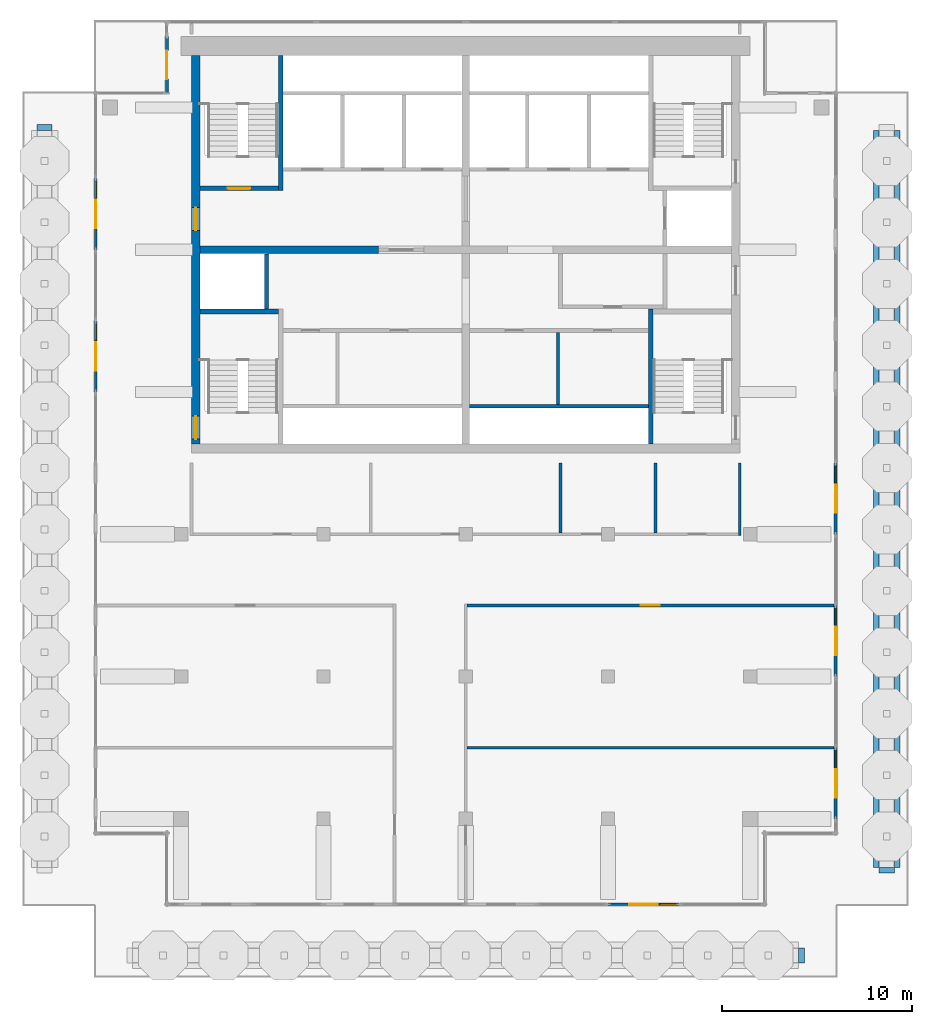
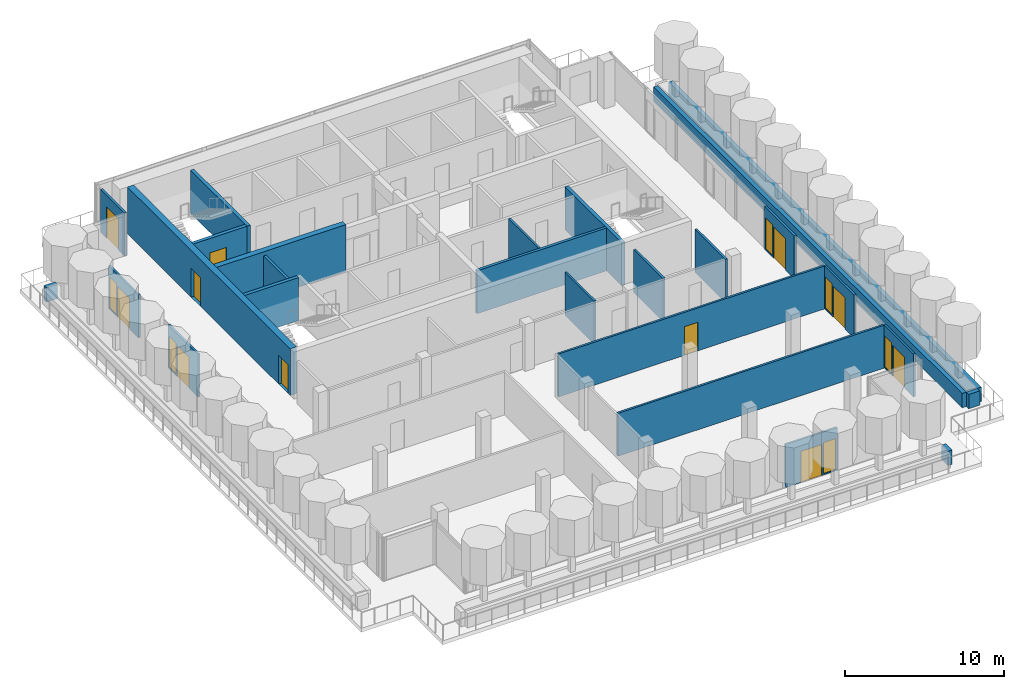
# One storey, part 9 of 15: 26 walls, 11 doors, 6 windows, 17 openings.
"""IFC4 building model written with IfcOpenShell, lengths in metres."""

from ifc_helpers import new_model, si_unit, direction, frame, frame_2d, origin, place, context, subcontext, project, spatial, rectangle, extrude, material, layer, layer_set, type_object, element, fill, save


model = new_model("IFC4")

# Units and contexts
model_context = context("Model", 3, precision=1e-05, world=origin(), true_north=direction((0.0, 1.0)))
body_context = subcontext(model_context, "Body", "Model", "MODEL_VIEW")
ifc_project = project(units=[si_unit("LENGTHUNIT", "METRE"), si_unit("AREAUNIT", "SQUARE_METRE"), si_unit("VOLUMEUNIT", "CUBIC_METRE"), si_unit("PLANEANGLEUNIT", "RADIAN"), si_unit("MASSUNIT", "GRAM", prefix="KILO")], contexts=[model_context])

# Site, building, storey
site_placement = place(None, origin())
site = spatial("IfcSite", under=ifc_project, at=site_placement, CompositionType="ELEMENT")
building_placement = place(site_placement, origin())
building = spatial("IfcBuilding", under=site, at=building_placement, Name="Pilkhan Gate Tower", CompositionType="ELEMENT")
storey_placement = place(building_placement, frame((0.0, 0.0, 265.699951171875)))
storey = spatial("IfcBuildingStorey", under=building, at=storey_placement, Name="L69", CompositionType="ELEMENT", Elevation=265.699951171875)

# Wall, openings, doors
ifc_material_1 = material(Name="Concrete C50/60", Category="concrete")
ifc_layer_1 = layer(ifc_material_1, 0.449951171875)
ifc_layer_set_1 = layer_set([ifc_layer_1], Name="Core wall CW450 C50/60")
wall_type_1 = type_object("IfcWallType", Name="Core wall CW450 C50/60", PredefinedType="SHEAR", material=ifc_layer_set_1)
wall_1_placement = place(storey_placement, frame((60.77490234375, 92.75, 0.0), z_axis=(0.0, 0.0, 1.0), x_axis=(0.0, -1.0, 0.0)))
wall_1 = element("IfcWall", 1, at=wall_1_placement, inside=storey, type_object=wall_type_1, Name="Core wall W L69", PredefinedType="SHEAR", context=body_context, shape_type="SweptSolid", body=[
    extrude(rectangle(XDim=20.5, YDim=0.449951171875, at=frame_2d((10.25, 0.0))), origin(), (0.0, 0.0, 1.0), 3.60009765625),
])
opening_1_placement = place(wall_1_placement, frame((19.02490234375, 0.0, 0.0)))
opening_1 = element("IfcOpeningElement", 2, at=opening_1_placement, cuts=wall_1, Name="Opening L69-04", PredefinedType="OPENING", context=body_context, shape_type="SweptSolid", body=[
    extrude(rectangle(XDim=1.199951171875, YDim=2.199951171875, at=frame_2d((0.60009765625, 1.10009765625))), frame((0.0, 0.23486328125, 0.0), z_axis=(0.0, -1.0, 0.0), x_axis=(1.0, 0.0, 0.0)), (0.0, 0.0, 1.0), 0.469970703125),
])
opening_2_placement = place(wall_1_placement, frame((8.02490234375, 0.0, 0.0)))
opening_2 = element("IfcOpeningElement", 3, at=opening_2_placement, cuts=wall_1, Name="Opening L69-08", PredefinedType="OPENING", context=body_context, shape_type="SweptSolid", body=[
    extrude(rectangle(XDim=1.199951171875, YDim=2.199951171875, at=frame_2d((0.60009765625, 1.10009765625))), frame((0.0, 0.23486328125, 0.0), z_axis=(0.0, -1.0, 0.0), x_axis=(1.0, 0.0, 0.0)), (0.0, 0.0, 1.0), 0.469970703125),
])
ifc_material_2 = material(Name="Steel door, 120 minute fire resisting, self-closing", Category="steel")
door_type_1 = type_object("IfcDoorType", Name="Firefighting lobby door D10 1200x2200", OperationType="SINGLE_SWING_LEFT", PredefinedType="DOOR", material=ifc_material_2)
door_1_placement = place(opening_2_placement, origin())
door_1 = element("IfcDoor", 4, at=door_1_placement, inside=storey, type_object=door_type_1, Name="Core door", OperationType="SINGLE_SWING_LEFT", OverallHeight=2.199951171875, OverallWidth=1.199951171875, PredefinedType="DOOR", context=body_context, shape_type="SweptSolid", body=[
    extrude(rectangle(XDim=1.199951171875, YDim=2.199951171875, at=frame_2d((0.60009765625, 1.10009765625))), frame((0.0, 0.02490234375, 0.0), z_axis=(0.0, -1.0, 0.0), x_axis=(1.0, 0.0, 0.0)), (0.0, 0.0, 1.0), 0.050048828125),
])
fill(opening_2, door_1)
ifc_material_3 = material(Name="Steel door, 120 minute fire resisting, panic bar", Category="steel")
door_type_2 = type_object("IfcDoorType", Name="Stair door D11 1200x2200", OperationType="SINGLE_SWING_LEFT", PredefinedType="DOOR", material=ifc_material_3)
door_2_placement = place(opening_1_placement, origin())
door_2 = element("IfcDoor", 5, at=door_2_placement, inside=storey, type_object=door_type_2, Name="Stair ST2 door", OperationType="SINGLE_SWING_LEFT", OverallHeight=2.199951171875, OverallWidth=1.199951171875, PredefinedType="DOOR", context=body_context, shape_type="SweptSolid", body=[
    extrude(rectangle(XDim=1.199951171875, YDim=2.199951171875, at=frame_2d((0.60009765625, 1.10009765625))), frame((0.0, 0.02490234375, 0.0), z_axis=(0.0, -1.0, 0.0), x_axis=(1.0, 0.0, 0.0)), (0.0, 0.0, 1.0), 0.050048828125),
])
fill(opening_1, door_2)

# Wall, openings, door, window
ifc_material_4 = material(Name="Pale anodised aluminium, clear laminated glazing", Category="aluminium")
ifc_layer_2 = layer(ifc_material_4, 0.14990234375)
ifc_layer_set_2 = layer_set([ifc_layer_2], Name="Facade infill wall IW150")
wall_type_2 = type_object("IfcWallType", Name="Facade infill wall IW150", PredefinedType="SOLIDWALL", material=ifc_layer_set_2)
wall_2_placement = place(storey_placement, frame((94.5, 56.25, 0.0), z_axis=(0.0, 0.0, 1.0), x_axis=(0.0, -1.0, 0.0)))
wall_2 = element("IfcWall", 6, at=wall_2_placement, inside=storey, type_object=wall_type_2, Name="Infill wall L69 E", PredefinedType="SOLIDWALL", context=body_context, shape_type="SweptSolid", body=[
    extrude(rectangle(XDim=3.75, YDim=0.14990234375, at=frame_2d((1.875, 0.0))), origin(), (0.0, 0.0, 1.0), 3.300048828125),
])
opening_3_placement = place(wall_2_placement, frame((0.112548828125, 0.0, 0.10009765625)))
opening_3 = element("IfcOpeningElement", 7, at=opening_3_placement, cuts=wall_2, Name="Opening W1", PredefinedType="OPENING", context=body_context, shape_type="SweptSolid", body=[
    extrude(rectangle(XDim=0.89990234375, YDim=2.39990234375, at=frame_2d((0.449951171875, 1.199951171875))), frame((0.0, 0.0849609375, 0.0), z_axis=(0.0, -1.0, 0.0), x_axis=(1.0, 0.0, 0.0)), (0.0, 0.0, 1.0), 0.169921875),
])
opening_4_placement = place(wall_2_placement, frame((1.125, 0.0, 0.0)))
opening_4 = element("IfcOpeningElement", 8, at=opening_4_placement, cuts=wall_2, Name="Opening D5", PredefinedType="OPENING", context=body_context, shape_type="SweptSolid", body=[
    extrude(rectangle(XDim=1.5, YDim=2.39990234375, at=frame_2d((0.75, 1.199951171875))), frame((0.0, 0.0849609375, 0.0), z_axis=(0.0, -1.0, 0.0), x_axis=(1.0, 0.0, 0.0)), (0.0, 0.0, 1.0), 0.169921875),
])
ifc_material_5 = material(Name="Pale anodised aluminium, clear glazing", Category="aluminium")
door_type_3 = type_object("IfcDoorType", Name="Terrace door D5 1500x2400", OperationType="DOUBLE_DOOR_SINGLE_SWING", PredefinedType="DOOR", material=ifc_material_5)
door_3_placement = place(opening_4_placement, origin())
door_3 = element("IfcDoor", 9, at=door_3_placement, inside=storey, type_object=door_type_3, Name="Terrace door L69", OperationType="DOUBLE_DOOR_SINGLE_SWING", OverallHeight=2.39990234375, OverallWidth=1.5, PredefinedType="DOOR", context=body_context, shape_type="SweptSolid", body=[
    extrude(rectangle(XDim=1.5, YDim=2.39990234375, at=frame_2d((0.75, 1.199951171875))), frame((0.0, 0.02490234375, 0.0), z_axis=(0.0, -1.0, 0.0), x_axis=(1.0, 0.0, 0.0)), (0.0, 0.0, 1.0), 0.050048828125),
])
fill(opening_4, door_3)
ifc_material_6 = material(Name="Pale anodised aluminium, clear double glazing", Category="aluminium")
window_type = type_object("IfcWindowType", Name="Window W1 900x2400", PartitioningType="SINGLE_PANEL", PredefinedType="WINDOW", material=ifc_material_6)
window_1_placement = place(opening_3_placement, origin())
window_1 = element("IfcWindow", 10, at=window_1_placement, inside=storey, type_object=window_type, Name="Window L69", OverallHeight=2.39990234375, OverallWidth=0.89990234375, PartitioningType="SINGLE_PANEL", PredefinedType="WINDOW", context=body_context, shape_type="SweptSolid", body=[
    extrude(rectangle(XDim=0.89990234375, YDim=2.39990234375, at=frame_2d((0.449951171875, 1.199951171875))), frame((0.0, 0.030029296875, 0.0), z_axis=(0.0, -1.0, 0.0), x_axis=(1.0, 0.0, 0.0)), (0.0, 0.0, 1.0), 0.06005859375),
])
fill(opening_3, window_1)

wall_3_placement = place(storey_placement, frame((94.5, 63.75, 0.0), z_axis=(0.0, 0.0, 1.0), x_axis=(0.0, -1.0, 0.0)))
wall_3 = element("IfcWall", 11, at=wall_3_placement, inside=storey, type_object=wall_type_2, Name="Infill wall L69 E", PredefinedType="SOLIDWALL", context=body_context, shape_type="SweptSolid", body=[
    extrude(rectangle(XDim=3.75, YDim=0.14990234375, at=frame_2d((1.875, 0.0))), origin(), (0.0, 0.0, 1.0), 3.300048828125),
])
opening_5_placement = place(wall_3_placement, frame((0.112548828125, 0.0, 0.10009765625)))
opening_5 = element("IfcOpeningElement", 12, at=opening_5_placement, cuts=wall_3, Name="Opening W1", PredefinedType="OPENING", context=body_context, shape_type="SweptSolid", body=[
    extrude(rectangle(XDim=0.89990234375, YDim=2.39990234375, at=frame_2d((0.449951171875, 1.199951171875))), frame((0.0, 0.0849609375, 0.0), z_axis=(0.0, -1.0, 0.0), x_axis=(1.0, 0.0, 0.0)), (0.0, 0.0, 1.0), 0.169921875),
])
opening_6_placement = place(wall_3_placement, frame((1.125, 0.0, 0.0)))
opening_6 = element("IfcOpeningElement", 13, at=opening_6_placement, cuts=wall_3, Name="Opening D5", PredefinedType="OPENING", context=body_context, shape_type="SweptSolid", body=[
    extrude(rectangle(XDim=1.5, YDim=2.39990234375, at=frame_2d((0.75, 1.199951171875))), frame((0.0, 0.0849609375, 0.0), z_axis=(0.0, -1.0, 0.0), x_axis=(1.0, 0.0, 0.0)), (0.0, 0.0, 1.0), 0.169921875),
])
door_4_placement = place(opening_6_placement, origin())
door_4 = element("IfcDoor", 14, at=door_4_placement, inside=storey, type_object=door_type_3, Name="Terrace door L69", OperationType="DOUBLE_DOOR_SINGLE_SWING", OverallHeight=2.39990234375, OverallWidth=1.5, PredefinedType="DOOR", context=body_context, shape_type="SweptSolid", body=[
    extrude(rectangle(XDim=1.5, YDim=2.39990234375, at=frame_2d((0.75, 1.199951171875))), frame((0.0, 0.02490234375, 0.0), z_axis=(0.0, -1.0, 0.0), x_axis=(1.0, 0.0, 0.0)), (0.0, 0.0, 1.0), 0.050048828125),
])
fill(opening_6, door_4)
window_2_placement = place(opening_5_placement, origin())
window_2 = element("IfcWindow", 15, at=window_2_placement, inside=storey, type_object=window_type, Name="Window L69", OverallHeight=2.39990234375, OverallWidth=0.89990234375, PartitioningType="SINGLE_PANEL", PredefinedType="WINDOW", context=body_context, shape_type="SweptSolid", body=[
    extrude(rectangle(XDim=0.89990234375, YDim=2.39990234375, at=frame_2d((0.449951171875, 1.199951171875))), frame((0.0, 0.030029296875, 0.0), z_axis=(0.0, -1.0, 0.0), x_axis=(1.0, 0.0, 0.0)), (0.0, 0.0, 1.0), 0.06005859375),
])
fill(opening_5, window_2)

wall_4_placement = place(storey_placement, frame((94.5, 71.25, 0.0), z_axis=(0.0, 0.0, 1.0), x_axis=(0.0, -1.0, 0.0)))
wall_4 = element("IfcWall", 16, at=wall_4_placement, inside=storey, type_object=wall_type_2, Name="Infill wall L69 E", PredefinedType="SOLIDWALL", context=body_context, shape_type="SweptSolid", body=[
    extrude(rectangle(XDim=3.75, YDim=0.14990234375, at=frame_2d((1.875, 0.0))), origin(), (0.0, 0.0, 1.0), 3.300048828125),
])
opening_7_placement = place(wall_4_placement, frame((0.112548828125, 0.0, 0.10009765625)))
opening_7 = element("IfcOpeningElement", 17, at=opening_7_placement, cuts=wall_4, Name="Opening W1", PredefinedType="OPENING", context=body_context, shape_type="SweptSolid", body=[
    extrude(rectangle(XDim=0.89990234375, YDim=2.39990234375, at=frame_2d((0.449951171875, 1.199951171875))), frame((0.0, 0.0849609375, 0.0), z_axis=(0.0, -1.0, 0.0), x_axis=(1.0, 0.0, 0.0)), (0.0, 0.0, 1.0), 0.169921875),
])
opening_8_placement = place(wall_4_placement, frame((1.125, 0.0, 0.0)))
opening_8 = element("IfcOpeningElement", 18, at=opening_8_placement, cuts=wall_4, Name="Opening D5", PredefinedType="OPENING", context=body_context, shape_type="SweptSolid", body=[
    extrude(rectangle(XDim=1.5, YDim=2.39990234375, at=frame_2d((0.75, 1.199951171875))), frame((0.0, 0.0849609375, 0.0), z_axis=(0.0, -1.0, 0.0), x_axis=(1.0, 0.0, 0.0)), (0.0, 0.0, 1.0), 0.169921875),
])
door_5_placement = place(opening_8_placement, origin())
door_5 = element("IfcDoor", 19, at=door_5_placement, inside=storey, type_object=door_type_3, Name="Terrace door L69", OperationType="DOUBLE_DOOR_SINGLE_SWING", OverallHeight=2.39990234375, OverallWidth=1.5, PredefinedType="DOOR", context=body_context, shape_type="SweptSolid", body=[
    extrude(rectangle(XDim=1.5, YDim=2.39990234375, at=frame_2d((0.75, 1.199951171875))), frame((0.0, 0.02490234375, 0.0), z_axis=(0.0, -1.0, 0.0), x_axis=(1.0, 0.0, 0.0)), (0.0, 0.0, 1.0), 0.050048828125),
])
fill(opening_8, door_5)
window_3_placement = place(opening_7_placement, origin())
window_3 = element("IfcWindow", 20, at=window_3_placement, inside=storey, type_object=window_type, Name="Window L69", OverallHeight=2.39990234375, OverallWidth=0.89990234375, PartitioningType="SINGLE_PANEL", PredefinedType="WINDOW", context=body_context, shape_type="SweptSolid", body=[
    extrude(rectangle(XDim=0.89990234375, YDim=2.39990234375, at=frame_2d((0.449951171875, 1.199951171875))), frame((0.0, 0.030029296875, 0.0), z_axis=(0.0, -1.0, 0.0), x_axis=(1.0, 0.0, 0.0)), (0.0, 0.0, 1.0), 0.06005859375),
])
fill(opening_7, window_3)

# Wall, opening, door
wall_5_placement = place(storey_placement, frame((59.25, 90.75, 0.0), z_axis=(0.0, 0.0, 1.0), x_axis=(0.0, 1.0, 0.0)))
wall_5 = element("IfcWall", 21, at=wall_5_placement, inside=storey, type_object=wall_type_2, Name="Infill wall L69 W", PredefinedType="SOLIDWALL", context=body_context, shape_type="SweptSolid", body=[
    extrude(rectangle(XDim=3.0, YDim=0.14990234375, at=frame_2d((1.5, 0.0))), origin(), (0.0, 0.0, 1.0), 3.300048828125),
])
opening_9_placement = place(wall_5_placement, frame((0.75, 0.0, 0.0)))
opening_9 = element("IfcOpeningElement", 22, at=opening_9_placement, cuts=wall_5, Name="Opening D5", PredefinedType="OPENING", context=body_context, shape_type="SweptSolid", body=[
    extrude(rectangle(XDim=1.5, YDim=2.39990234375, at=frame_2d((0.75, 1.199951171875))), frame((0.0, 0.0849609375, 0.0), z_axis=(0.0, -1.0, 0.0), x_axis=(1.0, 0.0, 0.0)), (0.0, 0.0, 1.0), 0.169921875),
])
door_6_placement = place(opening_9_placement, origin())
door_6 = element("IfcDoor", 23, at=door_6_placement, inside=storey, type_object=door_type_3, Name="Terrace door L69", OperationType="DOUBLE_DOOR_SINGLE_SWING", OverallHeight=2.39990234375, OverallWidth=1.5, PredefinedType="DOOR", context=body_context, shape_type="SweptSolid", body=[
    extrude(rectangle(XDim=1.5, YDim=2.39990234375, at=frame_2d((0.75, 1.199951171875))), frame((0.0, 0.02490234375, 0.0), z_axis=(0.0, -1.0, 0.0), x_axis=(1.0, 0.0, 0.0)), (0.0, 0.0, 1.0), 0.050048828125),
])
fill(opening_9, door_6)

# Wall, openings, door, window
wall_6_placement = place(storey_placement, frame((55.5, 75.0, 0.0), z_axis=(0.0, 0.0, 1.0), x_axis=(0.0, 1.0, 0.0)))
wall_6 = element("IfcWall", 24, at=wall_6_placement, inside=storey, type_object=wall_type_2, Name="Infill wall L69 W", PredefinedType="SOLIDWALL", context=body_context, shape_type="SweptSolid", body=[
    extrude(rectangle(XDim=3.75, YDim=0.14990234375, at=frame_2d((1.875, 0.0))), origin(), (0.0, 0.0, 1.0), 3.300048828125),
])
opening_10_placement = place(wall_6_placement, frame((1.125, 0.0, 0.0)))
opening_10 = element("IfcOpeningElement", 25, at=opening_10_placement, cuts=wall_6, Name="Opening D5", PredefinedType="OPENING", context=body_context, shape_type="SweptSolid", body=[
    extrude(rectangle(XDim=1.5, YDim=2.39990234375, at=frame_2d((0.75, 1.199951171875))), frame((0.0, 0.0849609375, 0.0), z_axis=(0.0, -1.0, 0.0), x_axis=(1.0, 0.0, 0.0)), (0.0, 0.0, 1.0), 0.169921875),
])
opening_11_placement = place(wall_6_placement, frame((2.737548828125, 0.0, 0.10009765625)))
opening_11 = element("IfcOpeningElement", 26, at=opening_11_placement, cuts=wall_6, Name="Opening W1", PredefinedType="OPENING", context=body_context, shape_type="SweptSolid", body=[
    extrude(rectangle(XDim=0.89990234375, YDim=2.39990234375, at=frame_2d((0.449951171875, 1.199951171875))), frame((0.0, 0.0849609375, 0.0), z_axis=(0.0, -1.0, 0.0), x_axis=(1.0, 0.0, 0.0)), (0.0, 0.0, 1.0), 0.169921875),
])
door_7_placement = place(opening_10_placement, origin())
door_7 = element("IfcDoor", 27, at=door_7_placement, inside=storey, type_object=door_type_3, Name="Terrace door L69", OperationType="DOUBLE_DOOR_SINGLE_SWING", OverallHeight=2.39990234375, OverallWidth=1.5, PredefinedType="DOOR", context=body_context, shape_type="SweptSolid", body=[
    extrude(rectangle(XDim=1.5, YDim=2.39990234375, at=frame_2d((0.75, 1.199951171875))), frame((0.0, 0.02490234375, 0.0), z_axis=(0.0, -1.0, 0.0), x_axis=(1.0, 0.0, 0.0)), (0.0, 0.0, 1.0), 0.050048828125),
])
fill(opening_10, door_7)
window_4_placement = place(opening_11_placement, origin())
window_4 = element("IfcWindow", 28, at=window_4_placement, inside=storey, type_object=window_type, Name="Window L69", OverallHeight=2.39990234375, OverallWidth=0.89990234375, PartitioningType="SINGLE_PANEL", PredefinedType="WINDOW", context=body_context, shape_type="SweptSolid", body=[
    extrude(rectangle(XDim=0.89990234375, YDim=2.39990234375, at=frame_2d((0.449951171875, 1.199951171875))), frame((0.0, 0.030029296875, 0.0), z_axis=(0.0, -1.0, 0.0), x_axis=(1.0, 0.0, 0.0)), (0.0, 0.0, 1.0), 0.06005859375),
])
fill(opening_11, window_4)

wall_7_placement = place(storey_placement, frame((55.5, 82.5, 0.0), z_axis=(0.0, 0.0, 1.0), x_axis=(0.0, 1.0, 0.0)))
wall_7 = element("IfcWall", 29, at=wall_7_placement, inside=storey, type_object=wall_type_2, Name="Infill wall L69 W", PredefinedType="SOLIDWALL", context=body_context, shape_type="SweptSolid", body=[
    extrude(rectangle(XDim=3.75, YDim=0.14990234375, at=frame_2d((1.875, 0.0))), origin(), (0.0, 0.0, 1.0), 3.300048828125),
])
opening_12_placement = place(wall_7_placement, frame((1.125, 0.0, 0.0)))
opening_12 = element("IfcOpeningElement", 30, at=opening_12_placement, cuts=wall_7, Name="Opening D5", PredefinedType="OPENING", context=body_context, shape_type="SweptSolid", body=[
    extrude(rectangle(XDim=1.5, YDim=2.39990234375, at=frame_2d((0.75, 1.199951171875))), frame((0.0, 0.0849609375, 0.0), z_axis=(0.0, -1.0, 0.0), x_axis=(1.0, 0.0, 0.0)), (0.0, 0.0, 1.0), 0.169921875),
])
opening_13_placement = place(wall_7_placement, frame((2.737548828125, 0.0, 0.10009765625)))
opening_13 = element("IfcOpeningElement", 31, at=opening_13_placement, cuts=wall_7, Name="Opening W1", PredefinedType="OPENING", context=body_context, shape_type="SweptSolid", body=[
    extrude(rectangle(XDim=0.89990234375, YDim=2.39990234375, at=frame_2d((0.449951171875, 1.199951171875))), frame((0.0, 0.0849609375, 0.0), z_axis=(0.0, -1.0, 0.0), x_axis=(1.0, 0.0, 0.0)), (0.0, 0.0, 1.0), 0.169921875),
])
door_8_placement = place(opening_12_placement, origin())
door_8 = element("IfcDoor", 32, at=door_8_placement, inside=storey, type_object=door_type_3, Name="Terrace door L69", OperationType="DOUBLE_DOOR_SINGLE_SWING", OverallHeight=2.39990234375, OverallWidth=1.5, PredefinedType="DOOR", context=body_context, shape_type="SweptSolid", body=[
    extrude(rectangle(XDim=1.5, YDim=2.39990234375, at=frame_2d((0.75, 1.199951171875))), frame((0.0, 0.02490234375, 0.0), z_axis=(0.0, -1.0, 0.0), x_axis=(1.0, 0.0, 0.0)), (0.0, 0.0, 1.0), 0.050048828125),
])
fill(opening_12, door_8)
window_5_placement = place(opening_13_placement, origin())
window_5 = element("IfcWindow", 33, at=window_5_placement, inside=storey, type_object=window_type, Name="Window L69", OverallHeight=2.39990234375, OverallWidth=0.89990234375, PartitioningType="SINGLE_PANEL", PredefinedType="WINDOW", context=body_context, shape_type="SweptSolid", body=[
    extrude(rectangle(XDim=0.89990234375, YDim=2.39990234375, at=frame_2d((0.449951171875, 1.199951171875))), frame((0.0, 0.030029296875, 0.0), z_axis=(0.0, -1.0, 0.0), x_axis=(1.0, 0.0, 0.0)), (0.0, 0.0, 1.0), 0.06005859375),
])
fill(opening_13, window_5)

wall_8_placement = place(storey_placement, frame((86.25, 48.0, 0.0), z_axis=(0.0, 0.0, 1.0), x_axis=(-1.0, 0.0, 0.0)))
wall_8 = element("IfcWall", 34, at=wall_8_placement, inside=storey, type_object=wall_type_2, Name="Infill wall L69 S", PredefinedType="SOLIDWALL", context=body_context, shape_type="SweptSolid", body=[
    extrude(rectangle(XDim=3.75, YDim=0.14990234375, at=frame_2d((1.875, 0.0))), origin(), (0.0, 0.0, 1.0), 3.300048828125),
])
opening_14_placement = place(wall_8_placement, frame((0.112548828125, 0.0, 0.10009765625)))
opening_14 = element("IfcOpeningElement", 35, at=opening_14_placement, cuts=wall_8, Name="Opening W1", PredefinedType="OPENING", context=body_context, shape_type="SweptSolid", body=[
    extrude(rectangle(XDim=0.89990234375, YDim=2.39990234375, at=frame_2d((0.449951171875, 1.199951171875))), frame((0.0, 0.0849609375, 0.0), z_axis=(0.0, -1.0, 0.0), x_axis=(1.0, 0.0, 0.0)), (0.0, 0.0, 1.0), 0.169921875),
])
opening_15_placement = place(wall_8_placement, frame((1.125, 0.0, 0.0)))
opening_15 = element("IfcOpeningElement", 36, at=opening_15_placement, cuts=wall_8, Name="Opening D5", PredefinedType="OPENING", context=body_context, shape_type="SweptSolid", body=[
    extrude(rectangle(XDim=1.5, YDim=2.39990234375, at=frame_2d((0.75, 1.199951171875))), frame((0.0, 0.0849609375, 0.0), z_axis=(0.0, -1.0, 0.0), x_axis=(1.0, 0.0, 0.0)), (0.0, 0.0, 1.0), 0.169921875),
])
door_9_placement = place(opening_15_placement, origin())
door_9 = element("IfcDoor", 37, at=door_9_placement, inside=storey, type_object=door_type_3, Name="Terrace door L69", OperationType="DOUBLE_DOOR_SINGLE_SWING", OverallHeight=2.39990234375, OverallWidth=1.5, PredefinedType="DOOR", context=body_context, shape_type="SweptSolid", body=[
    extrude(rectangle(XDim=1.5, YDim=2.39990234375, at=frame_2d((0.75, 1.199951171875))), frame((0.0, 0.02490234375, 0.0), z_axis=(0.0, -1.0, 0.0), x_axis=(1.0, 0.0, 0.0)), (0.0, 0.0, 1.0), 0.050048828125),
])
fill(opening_15, door_9)
window_6_placement = place(opening_14_placement, origin())
window_6 = element("IfcWindow", 38, at=window_6_placement, inside=storey, type_object=window_type, Name="Window L69", OverallHeight=2.39990234375, OverallWidth=0.89990234375, PartitioningType="SINGLE_PANEL", PredefinedType="WINDOW", context=body_context, shape_type="SweptSolid", body=[
    extrude(rectangle(XDim=0.89990234375, YDim=2.39990234375, at=frame_2d((0.449951171875, 1.199951171875))), frame((0.0, 0.030029296875, 0.0), z_axis=(0.0, -1.0, 0.0), x_axis=(1.0, 0.0, 0.0)), (0.0, 0.0, 1.0), 0.06005859375),
])
fill(opening_14, window_6)

# Walls
ifc_material_7 = material(Name="Dense blockwork", Category="masonry")
ifc_layer_3 = layer(ifc_material_7, 0.199951171875)
ifc_layer_set_3 = layer_set([ifc_layer_3], Name="Lobby wall LW200")
wall_type_3 = type_object("IfcWallType", Name="Lobby wall LW200", PredefinedType="PARTITIONING", material=ifc_layer_set_3)
wall_9_placement = place(storey_placement, frame((75.2099609375, 74.25, 0.0), z_axis=(0.0, 0.0, 1.0), x_axis=(1.0, 0.0, 0.0)))
element("IfcWall", 39, at=wall_9_placement, inside=storey, type_object=wall_type_3, Name="Partition L69", PredefinedType="PARTITIONING", context=body_context, shape_type="SweptSolid", body=[
    extrude(rectangle(XDim=9.4150390625, YDim=0.199951171875, at=frame_2d((4.70751953125, 0.0))), origin(), (0.0, 0.0, 1.0), 3.300048828125),
])
ifc_material_8 = material(Name="Blockwork partition, plastered both sides", Category="masonry")
ifc_layer_4 = layer(ifc_material_8, 0.14990234375)
ifc_layer_set_4 = layer_set([ifc_layer_4], Name="Partition PW150")
wall_type_4 = type_object("IfcWallType", Name="Partition PW150", PredefinedType="PARTITIONING", material=ifc_layer_set_4)
wall_10_placement = place(storey_placement, frame((75.074951171875, 56.25, 0.0), z_axis=(0.0, 0.0, 1.0), x_axis=(1.0, 0.0, 0.0)))
element("IfcWall", 40, at=wall_10_placement, inside=storey, type_object=wall_type_4, Name="Partition L69", PredefinedType="PARTITIONING", context=body_context, shape_type="SweptSolid", body=[
    extrude(rectangle(XDim=19.340087890625, YDim=0.14990234375, at=frame_2d((9.669921875, 0.0))), origin(), (0.0, 0.0, 1.0), 3.300048828125),
])

# Wall, opening, door
wall_11_placement = place(storey_placement, frame((75.074951171875, 63.75, 0.0), z_axis=(0.0, 0.0, 1.0), x_axis=(1.0, 0.0, 0.0)))
wall_11 = element("IfcWall", 41, at=wall_11_placement, inside=storey, type_object=wall_type_4, Name="Partition L69", PredefinedType="PARTITIONING", context=body_context, shape_type="SweptSolid", body=[
    extrude(rectangle(XDim=19.340087890625, YDim=0.14990234375, at=frame_2d((9.669921875, 0.0))), origin(), (0.0, 0.0, 1.0), 3.300048828125),
])
opening_16_placement = place(wall_11_placement, frame((9.14990234375, 0.0, 0.0)))
opening_16 = element("IfcOpeningElement", 42, at=opening_16_placement, cuts=wall_11, Name="Opening L69-19", PredefinedType="OPENING", context=body_context, shape_type="SweptSolid", body=[
    extrude(rectangle(XDim=1.0, YDim=2.199951171875, at=frame_2d((0.5, 1.10009765625))), frame((0.0, 0.0849609375, 0.0), z_axis=(0.0, -1.0, 0.0), x_axis=(1.0, 0.0, 0.0)), (0.0, 0.0, 1.0), 0.169921875),
])
ifc_material_9 = material(Name="Timber flush door, 30 minute fire resisting", Category="wood")
door_type_4 = type_object("IfcDoorType", Name="Room door D03 1000x2200", OperationType="SINGLE_SWING_LEFT", PredefinedType="DOOR", material=ifc_material_9)
door_10_placement = place(opening_16_placement, origin())
door_10 = element("IfcDoor", 43, at=door_10_placement, inside=storey, type_object=door_type_4, Name="Room door", OperationType="SINGLE_SWING_LEFT", OverallHeight=2.199951171875, OverallWidth=1.0, PredefinedType="DOOR", context=body_context, shape_type="SweptSolid", body=[
    extrude(rectangle(XDim=1.0, YDim=2.199951171875, at=frame_2d((0.5, 1.10009765625))), frame((0.0, 0.02490234375, 0.0), z_axis=(0.0, -1.0, 0.0), x_axis=(1.0, 0.0, 0.0)), (0.0, 0.0, 1.0), 0.050048828125),
])
fill(opening_16, door_10)

# Walls
wall_12_placement = place(storey_placement, frame((79.875, 74.35009765625, 0.0), z_axis=(0.0, 0.0, 1.0), x_axis=(0.0, 1.0, 0.0)))
element("IfcWall", 44, at=wall_12_placement, inside=storey, type_object=wall_type_4, Name="Partition L69", PredefinedType="PARTITIONING", context=body_context, shape_type="SweptSolid", body=[
    extrude(rectangle(XDim=3.7998046875, YDim=0.14990234375, at=frame_2d((1.89990234375, 0.0))), origin(), (0.0, 0.0, 1.0), 3.300048828125),
])
for number, where, z_axis, x_axis, name in (
    (45, (80.0, 67.574951171875, 0.0), (0.0, 0.0, 1.0), (0.0, 1.0, 0.0), "Partition L69"),
    (46, (85.0, 67.574951171875, 0.0), (0.0, 0.0, 1.0), (0.0, 1.0, 0.0), "Partition L69"),
):
    element("IfcWall", number, at=place(storey_placement, frame(where, z_axis=z_axis, x_axis=x_axis)), inside=storey, type_object=wall_type_4, Name=name, PredefinedType="PARTITIONING", context=body_context, shape_type="SweptSolid", body=[
        extrude(rectangle(XDim=3.675048828125, YDim=0.14990234375, at=frame_2d((1.83740234375, 0.0))), origin(), (0.0, 0.0, 1.0), 3.300048828125),
    ])
wall_13_placement = place(storey_placement, frame((89.449951171875, 67.425048828125, 0.0), z_axis=(0.0, 0.0, 1.0), x_axis=(0.0, 1.0, 0.0)))
element("IfcWall", 47, at=wall_13_placement, inside=storey, type_object=wall_type_4, Name="Partition L69", PredefinedType="PARTITIONING", context=body_context, shape_type="SweptSolid", body=[
    extrude(rectangle(XDim=3.824951171875, YDim=0.14990234375, at=frame_2d((1.91259765625, 0.0))), origin(), (0.0, 0.0, 1.0), 3.300048828125),
])
ifc_material_10 = material(Name="Reinforced blockwork shaft wall, 120 minute fire resisting", Category="masonry")
ifc_layer_5 = layer(ifc_material_10, 0.199951171875)
ifc_layer_set_5 = layer_set([ifc_layer_5], Name="Shaft wall SW200")
wall_type_5 = type_object("IfcWallType", Name="Shaft wall SW200", PredefinedType="PARTITIONING", material=ifc_layer_set_5)
wall_14_placement = place(storey_placement, frame((64.5, 79.375, 0.0), z_axis=(0.0, 0.0, 1.0), x_axis=(0.0, 1.0, 0.0)))
element("IfcWall", 48, at=wall_14_placement, inside=storey, type_object=wall_type_5, Name="Partition L69", PredefinedType="PARTITIONING", context=body_context, shape_type="SweptSolid", body=[
    extrude(rectangle(XDim=2.9150390625, YDim=0.199951171875, at=frame_2d((1.45751953125, 0.0))), origin(), (0.0, 0.0, 1.0), 3.300048828125),
])
ifc_layer_6 = layer(ifc_material_1, 0.39990234375)
ifc_layer_set_6 = layer_set([ifc_layer_6], Name="Spine wall SW400 C50/60")
wall_type_6 = type_object("IfcWallType", Name="Spine wall SW400 C50/60", PredefinedType="SHEAR", material=ifc_layer_set_6)
wall_15_placement = place(storey_placement, frame((61.0, 82.5, 0.0), z_axis=(0.0, 0.0, 1.0), x_axis=(1.0, 0.0, 0.0)))
element("IfcWall", 49, at=wall_15_placement, inside=storey, type_object=wall_type_6, Name="Spine wall SP-EW1 L69", PredefinedType="SHEAR", context=body_context, shape_type="SweptSolid", body=[
    extrude(rectangle(XDim=9.39990234375, YDim=0.39990234375, at=frame_2d((4.699951171875, 0.0))), origin(), (0.0, 0.0, 1.0), 3.60009765625),
])
ifc_material_11 = material(Name="Reinforced blockwork, 120 minute fire resisting", Category="masonry")
ifc_layer_7 = layer(ifc_material_11, 0.25)
ifc_layer_set_7 = layer_set([ifc_layer_7], Name="Stair enclosure wall SE250")
wall_type_7 = type_object("IfcWallType", Name="Stair enclosure wall SE250", PredefinedType="PARTITIONING", material=ifc_layer_set_7)
wall_16_placement = place(storey_placement, frame((61.0, 79.25, 0.0), z_axis=(0.0, 0.0, 1.0), x_axis=(1.0, 0.0, 0.0)))
element("IfcWall", 50, at=wall_16_placement, inside=storey, type_object=wall_type_7, Name="Partition L69", PredefinedType="PARTITIONING", context=body_context, shape_type="SweptSolid", body=[
    extrude(rectangle(XDim=4.125, YDim=0.25, at=frame_2d((2.0625, 0.0))), origin(), (0.0, 0.0, 1.0), 3.300048828125),
])

# Wall, opening, door
wall_17_placement = place(storey_placement, frame((61.0, 85.75, 0.0), z_axis=(0.0, 0.0, 1.0), x_axis=(1.0, 0.0, 0.0)))
wall_17 = element("IfcWall", 51, at=wall_17_placement, inside=storey, type_object=wall_type_7, Name="Partition L69", PredefinedType="PARTITIONING", context=body_context, shape_type="SweptSolid", body=[
    extrude(rectangle(XDim=4.125, YDim=0.25, at=frame_2d((2.0625, 0.0))), origin(), (0.0, 0.0, 1.0), 3.300048828125),
])
opening_17_placement = place(wall_17_placement, frame((1.449951171875, 0.0, 0.0)))
opening_17 = element("IfcOpeningElement", 52, at=opening_17_placement, cuts=wall_17, Name="Opening L69-02", PredefinedType="OPENING", context=body_context, shape_type="SweptSolid", body=[
    extrude(rectangle(XDim=1.199951171875, YDim=2.199951171875, at=frame_2d((0.60009765625, 1.10009765625))), frame((0.0, 0.135009765625, 0.0), z_axis=(0.0, -1.0, 0.0), x_axis=(1.0, 0.0, 0.0)), (0.0, 0.0, 1.0), 0.27001953125),
])
door_11_placement = place(opening_17_placement, origin())
door_11 = element("IfcDoor", 53, at=door_11_placement, inside=storey, type_object=door_type_2, Name="Stair ST3 lobby door", OperationType="SINGLE_SWING_RIGHT", OverallHeight=2.199951171875, OverallWidth=1.199951171875, PredefinedType="DOOR", context=body_context, shape_type="SweptSolid", body=[
    extrude(rectangle(XDim=1.199951171875, YDim=2.199951171875, at=frame_2d((0.60009765625, 1.10009765625))), frame((0.0, 0.02490234375, 0.0), z_axis=(0.0, -1.0, 0.0), x_axis=(1.0, 0.0, 0.0)), (0.0, 0.0, 1.0), 0.050048828125),
])
fill(opening_17, door_11)

# Walls
for number, where, z_axis, x_axis, name in (
    (54, (65.25, 85.625, 0.0), (0.0, 0.0, 1.0), (0.0, 1.0, 0.0), "Partition L69"),
    (55, (84.75, 72.260009765625, 0.0), (0.0, 0.0, 1.0), (0.0, 1.0, 0.0), "Partition L69"),
):
    element("IfcWall", number, at=place(storey_placement, frame(where, z_axis=z_axis, x_axis=x_axis)), inside=storey, type_object=wall_type_7, Name=name, PredefinedType="PARTITIONING", context=body_context, shape_type="SweptSolid", body=[
        extrude(rectangle(XDim=7.114990234375, YDim=0.25, at=frame_2d((3.5576171875, 0.0))), origin(), (0.0, 0.0, 1.0), 3.300048828125),
    ])
ifc_material_12 = material(Name="Concrete C40/50", Category="concrete")
ifc_layer_8 = layer(ifc_material_12, 0.300048828125)
ifc_layer_set_8 = layer_set([ifc_layer_8], Name="Terrace planter TP800")
wall_type_8 = type_object("IfcWallType", Name="Terrace planter TP800", PredefinedType="USERDEFINED", material=ifc_layer_set_8)
for number, where, z_axis, x_axis, name in (
    (56, (92.699951171875, 45.699951171875, 0.0), (0.0, 0.0, 1.0), (0.0, -1.0, 0.0), "Terrace planter L69"),
    (57, (53.199951171875, 88.949951171875, 0.0), (0.0, 0.0, 1.0), (-1.0, 0.0, 0.0), "Terrace planter L69"),
):
    element("IfcWall", number, at=place(storey_placement, frame(where, z_axis=z_axis, x_axis=x_axis)), inside=storey, type_object=wall_type_8, Name=name, ObjectType="TERRACE PLANTER", PredefinedType="USERDEFINED", context=body_context, shape_type="SweptSolid", body=[
        extrude(rectangle(XDim=0.800048828125, YDim=0.300048828125, at=frame_2d((0.39990234375, 0.0))), origin(), (0.0, 0.0, 1.0), 1.10009765625),
    ])
for number, where, z_axis, x_axis, name in (
    (58, (97.75, 88.800048828125, 0.0), (0.0, 0.0, 1.0), (0.0, -1.0, 0.0), "Terrace planter L69"),
    (59, (96.64990234375, 88.800048828125, 0.0), (0.0, 0.0, 1.0), (0.0, -1.0, 0.0), "Terrace planter L69"),
):
    element("IfcWall", number, at=place(storey_placement, frame(where, z_axis=z_axis, x_axis=x_axis)), inside=storey, type_object=wall_type_8, Name=name, ObjectType="TERRACE PLANTER", PredefinedType="USERDEFINED", context=body_context, shape_type="SweptSolid", body=[
        extrude(rectangle(XDim=38.85009765625, YDim=0.300048828125, at=frame_2d((19.425048828125, 0.0))), origin(), (0.0, 0.0, 1.0), 1.10009765625),
    ])
wall_18_placement = place(storey_placement, frame((96.800048828125, 49.800048828125, 0.0), z_axis=(0.0, 0.0, 1.0), x_axis=(1.0, 0.0, 0.0)))
element("IfcWall", 60, at=wall_18_placement, inside=storey, type_object=wall_type_8, Name="Terrace planter L69", ObjectType="TERRACE PLANTER", PredefinedType="USERDEFINED", context=body_context, shape_type="SweptSolid", body=[
    extrude(rectangle(XDim=0.800048828125, YDim=0.300048828125, at=frame_2d((0.39990234375, 0.0))), origin(), (0.0, 0.0, 1.0), 1.10009765625),
])

save(model, "model.ifc")
